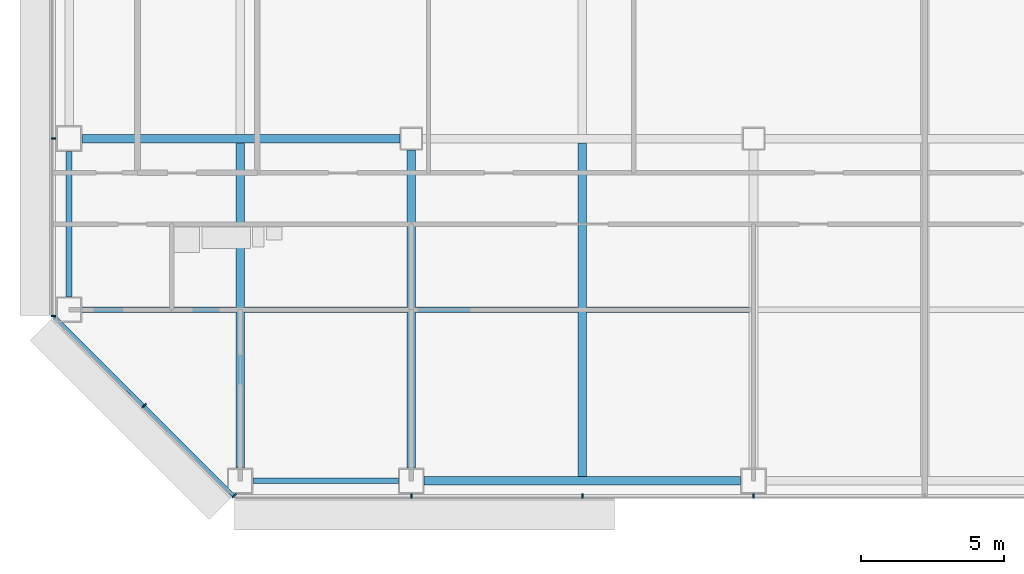
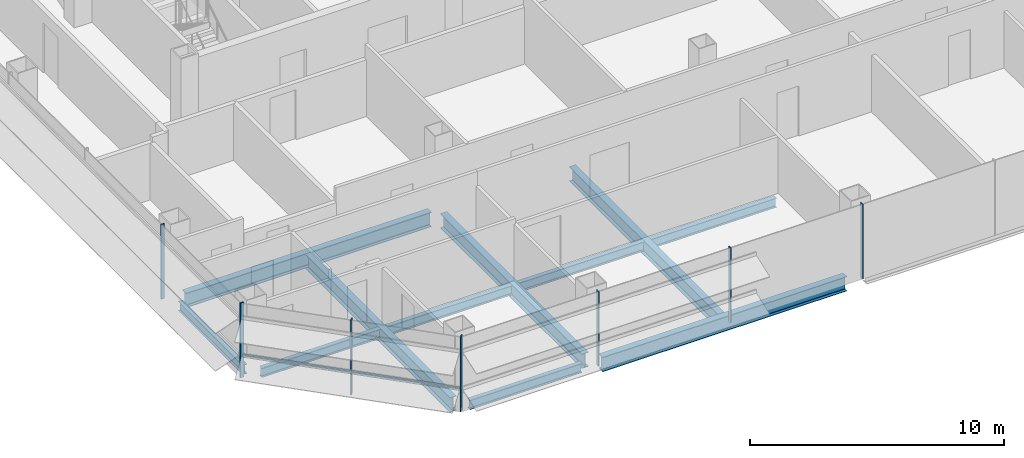
# One storey, part 2 of 27: 11 beams, 8 members, 3 elements without a shape of their own.
"""IFC4 building model written with IfcOpenShell, lengths in metres."""

from ifc_helpers import new_model, si_unit, direction, frame, origin, origin_2d, place, context, subcontext, project, spatial, rectangle, i_section, extrude, material, material_profile, profile_set, type_object, element, aggregate, save


model = new_model("IFC4")

# Units and contexts
model_context = context("Model", 3, precision=1e-05, world=origin(), true_north=direction((0.0, 1.0)))
body_context = subcontext(model_context, "Body", "Model", "MODEL_VIEW")
ifc_project = project(units=[si_unit("LENGTHUNIT", "METRE"), si_unit("AREAUNIT", "SQUARE_METRE"), si_unit("VOLUMEUNIT", "CUBIC_METRE"), si_unit("PLANEANGLEUNIT", "RADIAN"), si_unit("MASSUNIT", "GRAM", prefix="KILO")], contexts=[model_context])

# Site, building, storey
site_placement = place(None, origin())
site = spatial("IfcSite", under=ifc_project, at=site_placement, CompositionType="ELEMENT")
building_placement = place(site_placement, origin())
building = spatial("IfcBuilding", under=site, at=building_placement, Name="Sorahane Residences", CompositionType="ELEMENT")
storey_placement = place(building_placement, frame((0.0, 0.0, 78.60009765625)))
storey = spatial("IfcBuildingStorey", under=building, at=storey_placement, Name="L16", CompositionType="ELEMENT", Elevation=78.60009765625)

# Curtain wall, members
ifc_material_1 = material(Name="Dark low-e glass and black anodised aluminium", Category="aluminium")
curtain_wall_type_1 = type_object("IfcCurtainWallType", Name="Curtain wall CW-1 Typical unitised wall", PredefinedType="NOTDEFINED", material=ifc_material_1)
curtain_wall_1_placement = place(storey_placement, origin())
curtain_wall_1 = element("IfcCurtainWall", 1, at=curtain_wall_1_placement, inside=storey, type_object=curtain_wall_type_1, Name="CW-1 curtain wall L16 S1", PredefinedType="NOTDEFINED")
ifc_material_2 = material(Name="Black anodised aluminium", Category="aluminium")
ifc_material_profile_1 = material_profile(ifc_material_2, rectangle(XDim=0.159912109375, YDim=0.050048828125, at=origin_2d()), Name="Curtain wall mullion CW-1 black anodised aluminium 50x160")
ifc_profile_set_1 = profile_set([ifc_material_profile_1], Name="Black anodised aluminium")
member_type_1 = type_object("IfcMemberType", Name="Curtain wall mullion CW-1 black anodised aluminium 50x160", PredefinedType="MULLION", material=ifc_profile_set_1)
member_1_placement = place(storey_placement, frame((12.0, -0.5400390625, -0.18017578125), z_axis=(0.0, 0.0, 1.0), x_axis=(0.0, -1.0, 0.0)))
member_1 = element("IfcMember", 2, at=member_1_placement, type_object=member_type_1, Name="CW-1 mullion L16 S1.2", PredefinedType="MULLION", context=body_context, shape_type="SweptSolid", body=[
    extrude(rectangle(XDim=0.159912109375, YDim=0.050048828125, at=origin_2d()), origin(), (0.0, 0.0, 1.0), 3.60009765625),
])
member_2_placement = place(storey_placement, frame((18.0, -0.5400390625, -0.18017578125), z_axis=(0.0, 0.0, 1.0), x_axis=(0.0, -1.0, 0.0)))
member_2 = element("IfcMember", 3, at=member_2_placement, type_object=member_type_1, Name="CW-1 mullion L16 S1.3", PredefinedType="MULLION", context=body_context, shape_type="SweptSolid", body=[
    extrude(rectangle(XDim=0.159912109375, YDim=0.050048828125, at=origin_2d()), origin(), (0.0, 0.0, 1.0), 3.60009765625),
])
member_3_placement = place(storey_placement, frame((24.0, -0.5400390625, -0.18017578125), z_axis=(0.0, 0.0, 1.0), x_axis=(0.0, -1.0, 0.0)))
member_3 = element("IfcMember", 4, at=member_3_placement, type_object=member_type_1, Name="CW-1 mullion L16 S1.4", PredefinedType="MULLION", context=body_context, shape_type="SweptSolid", body=[
    extrude(rectangle(XDim=0.159912109375, YDim=0.050048828125, at=origin_2d()), origin(), (0.0, 0.0, 1.0), 3.60009765625),
])
aggregate(curtain_wall_1, [member_1, member_2, member_3])

curtain_wall_2_placement = place(storey_placement, origin())
curtain_wall_2 = element("IfcCurtainWall", 5, at=curtain_wall_2_placement, inside=storey, type_object=curtain_wall_type_1, Name="CW-1 curtain wall L16 W1", PredefinedType="NOTDEFINED")
member_4_placement = place(storey_placement, frame((-0.5400390625, 12.0, -0.18017578125), z_axis=(0.0, 0.0, 1.0), x_axis=(-1.0, 0.0, 0.0)))
member_4 = element("IfcMember", 6, at=member_4_placement, type_object=member_type_1, Name="CW-1 mullion L16 W1.6", PredefinedType="MULLION", context=body_context, shape_type="SweptSolid", body=[
    extrude(rectangle(XDim=0.159912109375, YDim=0.050048828125, at=origin_2d()), origin(), (0.0, 0.0, 1.0), 3.60009765625),
])
member_5_placement = place(storey_placement, frame((-0.5400390625, 5.7763671875, -0.18017578125), z_axis=(0.0, 0.0, 1.0), x_axis=(-1.0, 0.0, 0.0)))
member_5 = element("IfcMember", 7, at=member_5_placement, type_object=member_type_1, Name="CW-1 mullion L16 W1.7", PredefinedType="MULLION", context=body_context, shape_type="SweptSolid", body=[
    extrude(rectangle(XDim=0.159912109375, YDim=0.050048828125, at=origin_2d()), origin(), (0.0, 0.0, 1.0), 3.60009765625),
])
aggregate(curtain_wall_2, [member_4, member_5])

ifc_material_3 = material(Name="Dark low-e glass and black anodised aluminium", Category="aluminium")
curtain_wall_type_2 = type_object("IfcCurtainWallType", Name="Curtain wall CW-2 Chamfer unitised wall", PredefinedType="NOTDEFINED", material=ifc_material_3)
curtain_wall_3_placement = place(storey_placement, origin())
curtain_wall_3 = element("IfcCurtainWall", 8, at=curtain_wall_3_placement, inside=storey, type_object=curtain_wall_type_2, Name="CW-2 curtain wall L16 SW1", PredefinedType="NOTDEFINED")
ifc_material_4 = material(Name="Black anodised aluminium", Category="aluminium")
ifc_material_profile_2 = material_profile(ifc_material_4, rectangle(XDim=0.199951171875, YDim=0.050048828125, at=origin_2d()), Name="Curtain wall mullion CW-2 black anodised aluminium 50x200")
ifc_profile_set_2 = profile_set([ifc_material_profile_2], Name="Black anodised aluminium")
member_type_2 = type_object("IfcMemberType", Name="Curtain wall mullion CW-2 black anodised aluminium 50x200", PredefinedType="MULLION", material=ifc_profile_set_2)
member_6_placement = place(storey_placement, frame((2.63232421875, 2.63232421875, -0.18017578125), z_axis=(0.0, 0.0, 1.0), x_axis=(-0.707106781187, -0.707106781187, 0.0)))
member_6 = element("IfcMember", 9, at=member_6_placement, type_object=member_type_2, Name="CW-2 mullion L16 SW1.2", PredefinedType="MULLION", context=body_context, shape_type="SweptSolid", body=[
    extrude(rectangle(XDim=0.199951171875, YDim=0.050048828125, at=origin_2d()), origin(), (0.0, 0.0, 1.0), 3.60009765625),
])
member_7_placement = place(storey_placement, frame((5.790283203125, -0.525634765625, -0.18017578125), z_axis=(0.0, 0.0, 1.0), x_axis=(-0.707106781187, -0.707106781187, 0.0)))
member_7 = element("IfcMember", 10, at=member_7_placement, type_object=member_type_2, Name="CW-2 mullion L16 SW1.3", PredefinedType="MULLION", context=body_context, shape_type="SweptSolid", body=[
    extrude(rectangle(XDim=0.199951171875, YDim=0.050048828125, at=origin_2d()), origin(), (0.0, 0.0, 1.0), 3.60009765625),
])
ifc_material_5 = material(Name="Black anodised aluminium", Category="aluminium")
ifc_material_profile_3 = material_profile(ifc_material_5, rectangle(XDim=0.10009765625, YDim=0.06005859375, at=origin_2d()), Name="Curtain wall transom CW-2 black anodised aluminium 60x100")
ifc_profile_set_3 = profile_set([ifc_material_profile_3], Name="Black anodised aluminium")
member_type_3 = type_object("IfcMemberType", Name="Curtain wall transom CW-2 black anodised aluminium 60x100", PredefinedType="USERDEFINED", material=ifc_profile_set_3)
member_8_placement = place(storey_placement, frame((-0.51513671875, 5.765625, 0.89990234375), z_axis=(0.707106781187, -0.707106781187, 0.0), x_axis=(0.707106781187, 0.707106781187, 0.0)))
member_8 = element("IfcMember", 11, at=member_8_placement, type_object=member_type_3, Name="CW-2 transom L16 SW1", ObjectType="TRANSOM", PredefinedType="USERDEFINED", context=body_context, shape_type="SweptSolid", body=[
    extrude(rectangle(XDim=0.10009765625, YDim=0.06005859375, at=origin_2d()), origin(), (0.0, 0.0, 1.0), 8.88232421875),
])
aggregate(curtain_wall_3, [member_6, member_7, member_8])

# Beams
ifc_material_6 = material(Name="Steel Q355B", Category="steel")
ifc_material_profile_4 = material_profile(ifc_material_6, i_section(OverallWidth=0.199951171875, OverallDepth=0.449951171875, WebThickness=0.009033203125, FlangeThickness=0.013916015625, FilletRadius=0.02001953125, at=origin_2d()), Name="HN 450x200x9x14")
ifc_profile_set_4 = profile_set([ifc_material_profile_4], Name="Steel Q355B")
beam_type_1 = type_object("IfcBeamType", Name="Steel floor beam HN 450x200x9x14 Q355B", PredefinedType="BEAM", material=ifc_profile_set_4)
for number, where, z_axis, x_axis, name in (
    (12, (6.449951171875, 0.0, -0.405029296875), (1.0, 0.0, 0.0), (0.0, 1.0, 0.0), "Beam L16 000"),
    (13, (0.0, 6.449951171875, -0.405029296875), (0.0, 1.0, 0.0), (-1.0, 0.0, 0.0), "Beam L16 017"),
):
    element("IfcBeam", number, at=place(storey_placement, frame(where, z_axis=z_axis, x_axis=x_axis)), inside=storey, type_object=beam_type_1, Name=name, PredefinedType="BEAM", context=body_context, shape_type="SweptSolid", body=[
        extrude(i_section(OverallWidth=0.199951171875, OverallDepth=0.449951171875, WebThickness=0.009033203125, FlangeThickness=0.013916015625, FilletRadius=0.02001953125, at=origin_2d()), origin(), (0.0, 0.0, 1.0), 5.10009765625),
    ])
beam_1_placement = place(storey_placement, frame((0.449951171875, 6.0, -0.405029296875), z_axis=(1.0, 0.0, 0.0), x_axis=(0.0, 1.0, 0.0)))
element("IfcBeam", 14, at=beam_1_placement, inside=storey, type_object=beam_type_1, Name="Beam L16 061", PredefinedType="BEAM", context=body_context, shape_type="SweptSolid", body=[
    extrude(i_section(OverallWidth=0.199951171875, OverallDepth=0.449951171875, WebThickness=0.009033203125, FlangeThickness=0.013916015625, FilletRadius=0.02001953125, at=origin_2d()), origin(), (0.0, 0.0, 1.0), 5.400146484375),
])
for number, where, z_axis, x_axis, name in (
    (15, (6.14990234375, 6.0, -0.405029296875), (1.0, 0.0, 0.0), (0.0, 1.0, 0.0), "Beam L16 062"),
    (16, (12.14990234375, 6.0, -0.405029296875), (1.0, 0.0, 0.0), (0.0, 1.0, 0.0), "Beam L16 063"),
    (17, (18.14990234375, 6.0, -0.405029296875), (1.0, 0.0, 0.0), (0.0, 1.0, 0.0), "Beam L16 064"),
):
    element("IfcBeam", number, at=place(storey_placement, frame(where, z_axis=z_axis, x_axis=x_axis)), inside=storey, type_object=beam_type_1, Name=name, PredefinedType="BEAM", context=body_context, shape_type="SweptSolid", body=[
        extrude(i_section(OverallWidth=0.199951171875, OverallDepth=0.449951171875, WebThickness=0.009033203125, FlangeThickness=0.013916015625, FilletRadius=0.02001953125, at=origin_2d()), origin(), (0.0, 0.0, 1.0), 5.7001953125),
    ])
ifc_material_7 = material(Name="Steel Q355B", Category="steel")
ifc_material_profile_5 = material_profile(ifc_material_7, i_section(OverallWidth=0.300048828125, OverallDepth=0.699951171875, WebThickness=0.012939453125, FlangeThickness=0.02392578125, FilletRadius=0.028076171875, at=origin_2d()), Name="HN 700x300x13x24")
ifc_profile_set_5 = profile_set([ifc_material_profile_5], Name="Steel Q355B")
beam_type_2 = type_object("IfcBeamType", Name="Steel floor beam HN 700x300x13x24 Q355B", PredefinedType="BEAM", material=ifc_profile_set_5)
beam_2_placement = place(storey_placement, frame((12.449951171875, 0.0, -0.530029296875), z_axis=(1.0, 0.0, 0.0), x_axis=(0.0, 1.0, 0.0)))
element("IfcBeam", 18, at=beam_2_placement, inside=storey, type_object=beam_type_2, Name="Beam L16 001", PredefinedType="BEAM", context=body_context, shape_type="SweptSolid", body=[
    extrude(i_section(OverallWidth=0.300048828125, OverallDepth=0.699951171875, WebThickness=0.012939453125, FlangeThickness=0.02392578125, FilletRadius=0.028076171875, at=origin_2d()), origin(), (0.0, 0.0, 1.0), 11.10009765625),
])
beam_3_placement = place(storey_placement, frame((0.449951171875, 12.0, -0.530029296875), z_axis=(1.0, 0.0, 0.0), x_axis=(0.0, 1.0, 0.0)))
element("IfcBeam", 19, at=beam_3_placement, inside=storey, type_object=beam_type_2, Name="Beam L16 005", PredefinedType="BEAM", context=body_context, shape_type="SweptSolid", body=[
    extrude(i_section(OverallWidth=0.300048828125, OverallDepth=0.699951171875, WebThickness=0.012939453125, FlangeThickness=0.02392578125, FilletRadius=0.028076171875, at=origin_2d()), origin(), (0.0, 0.0, 1.0), 11.150146484375),
])
beam_4_placement = place(storey_placement, frame((6.0, 0.449951171875, -0.530029296875), z_axis=(0.0, 1.0, 0.0), x_axis=(-1.0, 0.0, 0.0)))
element("IfcBeam", 20, at=beam_4_placement, inside=storey, type_object=beam_type_2, Name="Beam L16 021", PredefinedType="BEAM", context=body_context, shape_type="SweptSolid", body=[
    extrude(i_section(OverallWidth=0.300048828125, OverallDepth=0.699951171875, WebThickness=0.012939453125, FlangeThickness=0.02392578125, FilletRadius=0.028076171875, at=origin_2d()), origin(), (0.0, 0.0, 1.0), 11.400146484375),
])
beam_5_placement = place(storey_placement, frame((12.0, 0.449951171875, -0.530029296875), z_axis=(0.0, 1.0, 0.0), x_axis=(-1.0, 0.0, 0.0)))
element("IfcBeam", 21, at=beam_5_placement, inside=storey, type_object=beam_type_2, Name="Beam L16 027", PredefinedType="BEAM", context=body_context, shape_type="SweptSolid", body=[
    extrude(i_section(OverallWidth=0.300048828125, OverallDepth=0.699951171875, WebThickness=0.012939453125, FlangeThickness=0.02392578125, FilletRadius=0.028076171875, at=origin_2d()), origin(), (0.0, 0.0, 1.0), 11.150146484375),
])
beam_6_placement = place(storey_placement, frame((18.0, 0.14990234375, -0.530029296875), z_axis=(0.0, 1.0, 0.0), x_axis=(-1.0, 0.0, 0.0)))
element("IfcBeam", 22, at=beam_6_placement, inside=storey, type_object=beam_type_2, Name="Beam L16 029", PredefinedType="BEAM", context=body_context, shape_type="SweptSolid", body=[
    extrude(i_section(OverallWidth=0.300048828125, OverallDepth=0.699951171875, WebThickness=0.012939453125, FlangeThickness=0.02392578125, FilletRadius=0.028076171875, at=origin_2d()), origin(), (0.0, 0.0, 1.0), 11.7001953125),
])

save(model, "model.ifc")
